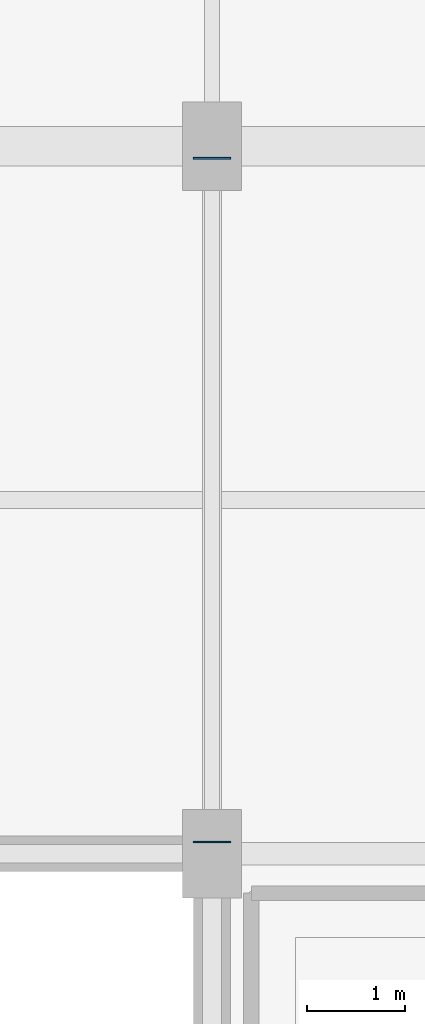
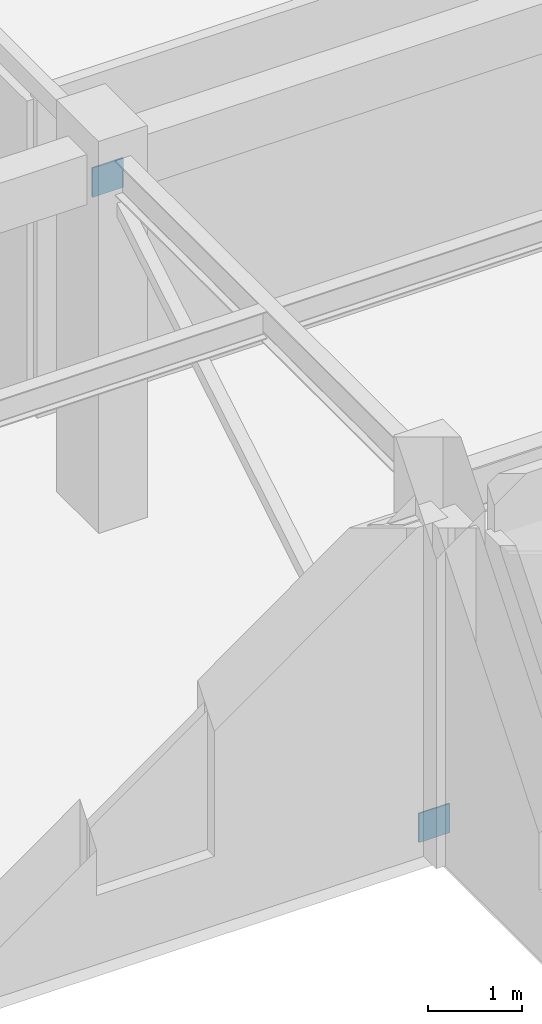
# One storey, part 80 of 117: 2 plates.
"""IFC4 building model written with IfcOpenShell, lengths in metres."""

import ifcopenshell
import ifcopenshell.guid

model = None  # the IFC model being written
_history = None  # IfcOwnerHistory: only IFC2X3 demands one
_inside = {}  # id of a spatial element -> (the spatial element, [elements in it])
_under = {}  # id of a project, library or spatial element -> (it, [spatial elements below it])
_declared = {}  # id of a project -> (the project, [libraries it declares])
_typed = {}  # id of a type object -> (the type object, [elements of that type])
_made_of = {}  # id of a material, layer set ... -> (it, [elements and type objects made of it])


def new_model(schema):
    """Start an empty IFC model of exactly this schema.

    Asked for "IFC4X3", IfcOpenShell would pick the latest addendum, in which some entities
    have other attributes; the version numbers below select the first issue.
    IFC2X3 requires an IfcOwnerHistory on every rooted entity: one is made here for all.
    """
    global model, _history
    if schema == "IFC4X3":
        model = ifcopenshell.file(schema_version=(4, 3, 0, 0))
    else:
        model = ifcopenshell.file(schema=schema)
    _inside.clear()
    _under.clear()
    _declared.clear()
    _typed.clear()
    _made_of.clear()
    _history = None
    if model.schema == "IFC2X3":
        org = make("IfcOrganization", Name="unknown")
        user = make(
            "IfcPersonAndOrganization",
            ThePerson=make("IfcPerson", FamilyName="unknown"),
            TheOrganization=org,
        )
        app = make(
            "IfcApplication",
            ApplicationDeveloper=org,
            Version="unknown",
            ApplicationFullName="unknown",
            ApplicationIdentifier="unknown",
        )
        _history = make(
            "IfcOwnerHistory",
            OwningUser=user,
            OwningApplication=app,
            ChangeAction="ADDED",
            CreationDate=0,
        )
    return model


def make(cls, **values):
    """One entity of the class cls with the attributes given. An attribute that is None is left unset."""
    return model.create_entity(
        cls, **{name: value for name, value in values.items() if value is not None}
    )


def rooted(cls, **values):
    """An entity with a GlobalId (a new one), such as an element, a storey or a relation."""
    return make(cls, GlobalId=ifcopenshell.guid.new(), OwnerHistory=_history, **values)


def si_unit(unit_type, name, prefix=None):
    """IfcSIUnit, for example si_unit("LENGTHUNIT", "METRE", prefix="MILLI")."""
    return make("IfcSIUnit", UnitType=unit_type, Prefix=prefix, Name=name)


def assignment(units):
    """IfcUnitAssignment: the units of a project."""
    return None if units is None else make("IfcUnitAssignment", Units=units)


def point(xyz):
    """IfcCartesianPoint."""
    return None if xyz is None else make("IfcCartesianPoint", Coordinates=xyz)


def direction(xyz):
    """IfcDirection."""
    return None if xyz is None else make("IfcDirection", DirectionRatios=xyz)


def frame(location, z_axis=None, x_axis=None):
    """IfcAxis2Placement3D, a coordinate frame: its origin and axes. An axis left out is left unset."""
    return make(
        "IfcAxis2Placement3D",
        Location=point(location),
        Axis=direction(z_axis),
        RefDirection=direction(x_axis),
    )


def frame_2d(location, x_axis=None):
    """IfcAxis2Placement2D, a coordinate frame in the plane: its origin and x axis."""
    return make(
        "IfcAxis2Placement2D", Location=point(location), RefDirection=direction(x_axis)
    )


def origin():
    """The frame at (0, 0, 0) with its axes left unset."""
    return frame((0.0, 0.0, 0.0))


def origin_2d():
    """The frame at (0, 0) in the plane with its x axis left unset."""
    return frame_2d((0.0, 0.0))


def place(relative_to, where):
    """IfcLocalPlacement: puts the frame where relative to a parent placement (None: the world)."""
    return make(
        "IfcLocalPlacement", PlacementRelTo=relative_to, RelativePlacement=where
    )


def context(
    kind, dimensions, precision=None, world=None, true_north=None, identifier=None
):
    """IfcGeometricRepresentationContext, for example the 3D "Model" context."""
    return make(
        "IfcGeometricRepresentationContext",
        ContextIdentifier=identifier,
        ContextType=kind,
        CoordinateSpaceDimension=dimensions,
        Precision=precision,
        WorldCoordinateSystem=world,
        TrueNorth=true_north,
    )


def subcontext(parent, identifier, kind, view, scale=None):
    """IfcGeometricRepresentationSubContext, for example "Body" below "Model"."""
    return make(
        "IfcGeometricRepresentationSubContext",
        ContextIdentifier=identifier,
        ContextType=kind,
        ParentContext=parent,
        TargetScale=scale,
        TargetView=view,
    )


def project(units=None, contexts=None):
    """IfcProject with its units and contexts."""
    return rooted(
        "IfcProject",
        Name="project",
        RepresentationContexts=contexts,
        UnitsInContext=assignment(units),
    )


def spatial(cls, under=None, at=None, **own):
    """A site, building, storey or space (cls), placed at a placement, below another one or the project."""
    s = rooted(cls, ObjectPlacement=at, **own)
    if under is not None:
        _under.setdefault(under.id(), (under, []))[1].append(s)
    return s


def profile(cls, at=None, kind="AREA", **sizes):
    """A parametric profile (cls). Its sizes go by their IFC names, for example OverallWidth=200.0."""
    return make(cls, ProfileType=kind, Position=at, **sizes)


def rectangle(**sizes):
    """IfcRectangleProfileDef."""
    return profile("IfcRectangleProfileDef", **sizes)


def extrude(swept, where, along, depth):
    """IfcExtrudedAreaSolid: the profile swept, set in the frame where, extruded along a direction by depth."""
    return make(
        "IfcExtrudedAreaSolid",
        SweptArea=swept,
        Position=where,
        ExtrudedDirection=direction(along),
        Depth=depth,
    )


def shape(context_of_items, identifier, shape_type, items):
    """IfcShapeRepresentation: the items that make up one representation, for example the "Body"."""
    return make(
        "IfcShapeRepresentation",
        ContextOfItems=context_of_items,
        RepresentationIdentifier=identifier,
        RepresentationType=shape_type,
        Items=items,
    )


def material(Name=None, Category=None):
    """IfcMaterial."""
    return make("IfcMaterial", Name=Name, Category=Category)


def layer(
    of_material, thickness, ventilated=None, Name=None, Category=None, Priority=None
):
    """IfcMaterialLayer: one layer of a wall or slab, of a material (None: an air gap)."""
    return make(
        "IfcMaterialLayer",
        Material=of_material,
        LayerThickness=thickness,
        IsVentilated=ventilated,
        Name=Name,
        Category=Category,
        Priority=Priority,
    )


def layer_set(layers, Name=None):
    """IfcMaterialLayerSet."""
    return make("IfcMaterialLayerSet", MaterialLayers=layers, LayerSetName=Name)


def made_of(thing, what):
    """Note that an element or type object is made of a material, layer set ...; save() writes the relation."""
    if what is not None:
        _made_of.setdefault(what.id(), (what, []))[1].append(thing)
    return thing


def type_object(cls, material=None, **own):
    """A type object (cls), such as IfcWallType, which elements share."""
    return made_of(rooted(cls, **own), material)


def element(
    cls,
    number,
    at=None,
    inside=None,
    cuts=None,
    type_object=None,
    material=None,
    context=None,
    identifier="Body",
    shape_type=None,
    held_by="IfcProductDefinitionShape",
    body=None,
    shapes=None,
    **own,
):
    """One element of the class cls, such as IfcWall. Its Tag is "e" and its number.

    at: its placement. inside: the storey or other place that contains it. cuts: it is an
    opening in that element (IfcRelVoidsElement). A single representation is given by context,
    identifier, shape_type and body (its items); several are given by shapes. held_by: the class
    of the entity that holds the representations. save() writes the other relations.
    """
    e = rooted(cls, Tag="e%d" % number, ObjectPlacement=at, **own)
    if body is not None:
        shapes = [shape(context, identifier, shape_type, body)]
    if shapes is not None:
        e.Representation = make(held_by, Representations=shapes)
    if inside is not None:
        _inside.setdefault(inside.id(), (inside, []))[1].append(e)
    if cuts is not None:
        rooted(
            "IfcRelVoidsElement", RelatingBuildingElement=cuts, RelatedOpeningElement=e
        )
    if type_object is not None:
        _typed.setdefault(type_object.id(), (type_object, []))[1].append(e)
    return made_of(e, material)


def aggregate(whole, parts):
    """IfcRelAggregates: a whole, such as a stair, and the parts it consists of."""
    return rooted("IfcRelAggregates", RelatingObject=whole, RelatedObjects=parts)


def save(model, path):
    """Write the relations noted so far, then the file.

    IfcRelAggregates (storeys below a building ...), IfcRelContainedInSpatialStructure (elements
    in a storey), IfcRelDefinesByType, IfcRelAssociatesMaterial and IfcRelDeclares: one each for
    every whole, place, type object, material and project.
    """
    for whole, parts in _under.values():
        aggregate(whole, parts)
    for where, things in _inside.values():
        rooted(
            "IfcRelContainedInSpatialStructure",
            RelatedElements=things,
            RelatingStructure=where,
        )
    for kind, things in _typed.values():
        rooted("IfcRelDefinesByType", RelatedObjects=things, RelatingType=kind)
    for what, things in _made_of.values():
        rooted("IfcRelAssociatesMaterial", RelatedObjects=things, RelatingMaterial=what)
    for by, libraries in _declared.values():
        rooted("IfcRelDeclares", RelatingContext=by, RelatedDefinitions=libraries)
    model.write(path)


model = new_model("IFC4")

# Units and contexts
model_context = context("Model", 3, precision=1e-05, world=origin(), true_north=direction((0.0, 1.0)))
body_context = subcontext(model_context, "Body", "Model", "MODEL_VIEW")
ifc_project = project(units=[si_unit("LENGTHUNIT", "METRE"), si_unit("AREAUNIT", "SQUARE_METRE"), si_unit("VOLUMEUNIT", "CUBIC_METRE"), si_unit("PLANEANGLEUNIT", "RADIAN"), si_unit("MASSUNIT", "GRAM", prefix="KILO")], contexts=[model_context])

# Site, building, storey
site_placement = place(None, origin())
site = spatial("IfcSite", under=ifc_project, at=site_placement, CompositionType="ELEMENT")
building_placement = place(site_placement, origin())
building = spatial("IfcBuilding", under=site, at=building_placement, Name="Carrowvane Square Congress Hotel", CompositionType="ELEMENT")
storey_placement = place(building_placement, frame((0.0, 0.0, 5.39990234375)))
storey = spatial("IfcBuildingStorey", under=building, at=storey_placement, Name="L01", CompositionType="ELEMENT", Elevation=5.39990234375)

# Plates
ifc_material_1 = material(Name="Steel S355", Category="steel")
ifc_layer_1 = layer(ifc_material_1, 0.02001953125)
ifc_layer_set_1 = layer_set([ifc_layer_1], Name="Steel S355")
plate_type_1 = type_object("IfcPlateType", Name="PLT-GUS-20", PredefinedType="SHEET", material=ifc_layer_set_1)
plate_1_placement = place(storey_placement, frame((134.0, 62.8798828125, 4.14013671875), z_axis=(0.0, 0.0, 1.0), x_axis=(1.0, 0.0, 0.0)))
element("IfcPlate", 1, at=plate_1_placement, inside=storey, type_object=plate_type_1, Name="L01 brace connection end plate 276", PredefinedType="SHEET", context=body_context, shape_type="SweptSolid", body=[
    extrude(rectangle(XDim=0.3798828125, YDim=0.02001953125, at=origin_2d()), origin(), (0.0, 0.0, 1.0), 0.3798828125),
])
ifc_material_2 = material(Name="Steel S355", Category="steel")
ifc_layer_2 = layer(ifc_material_2, 0.01611328125)
ifc_layer_set_2 = layer_set([ifc_layer_2], Name="Steel S355")
plate_type_2 = type_object("IfcPlateType", Name="PLT-STF-16", PredefinedType="USERDEFINED", material=ifc_layer_set_2)
plate_2_placement = place(storey_placement, frame((134.0, 55.919921875, -0.039794921875), z_axis=(0.0, 0.0, 1.0), x_axis=(1.0, 0.0, 0.0)))
element("IfcPlate", 2, at=plate_2_placement, inside=storey, type_object=plate_type_2, Name="L01 brace connection end plate 275", ObjectType="STIFFENER PLATE", PredefinedType="USERDEFINED", context=body_context, shape_type="SweptSolid", body=[
    extrude(rectangle(XDim=0.3798828125, YDim=0.01611328125, at=origin_2d()), origin(), (0.0, 0.0, 1.0), 0.3798828125),
])

save(model, "model.ifc")
